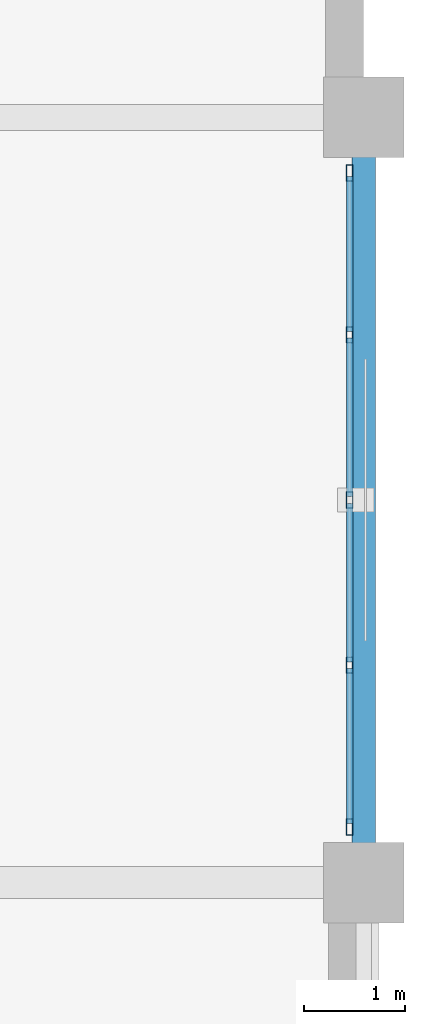
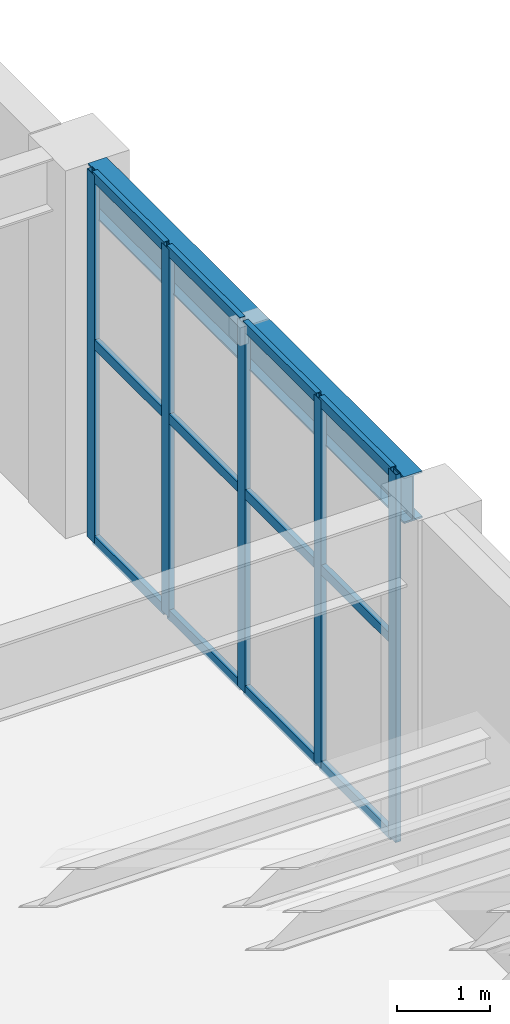
# One storey, part 86 of 128: 17 members, 1 beam, 1 element without a shape of its own.
"""IFC4 building model written with IfcOpenShell, lengths in metres."""

import ifcopenshell
import ifcopenshell.guid

model = None  # the IFC model being written
_history = None  # IfcOwnerHistory: only IFC2X3 demands one
_inside = {}  # id of a spatial element -> (the spatial element, [elements in it])
_under = {}  # id of a project, library or spatial element -> (it, [spatial elements below it])
_declared = {}  # id of a project -> (the project, [libraries it declares])
_typed = {}  # id of a type object -> (the type object, [elements of that type])
_made_of = {}  # id of a material, layer set ... -> (it, [elements and type objects made of it])


def new_model(schema):
    """Start an empty IFC model of exactly this schema.

    Asked for "IFC4X3", IfcOpenShell would pick the latest addendum, in which some entities
    have other attributes; the version numbers below select the first issue.
    IFC2X3 requires an IfcOwnerHistory on every rooted entity: one is made here for all.
    """
    global model, _history
    if schema == "IFC4X3":
        model = ifcopenshell.file(schema_version=(4, 3, 0, 0))
    else:
        model = ifcopenshell.file(schema=schema)
    _inside.clear()
    _under.clear()
    _declared.clear()
    _typed.clear()
    _made_of.clear()
    _history = None
    if model.schema == "IFC2X3":
        org = make("IfcOrganization", Name="unknown")
        user = make(
            "IfcPersonAndOrganization",
            ThePerson=make("IfcPerson", FamilyName="unknown"),
            TheOrganization=org,
        )
        app = make(
            "IfcApplication",
            ApplicationDeveloper=org,
            Version="unknown",
            ApplicationFullName="unknown",
            ApplicationIdentifier="unknown",
        )
        _history = make(
            "IfcOwnerHistory",
            OwningUser=user,
            OwningApplication=app,
            ChangeAction="ADDED",
            CreationDate=0,
        )
    return model


def make(cls, **values):
    """One entity of the class cls with the attributes given. An attribute that is None is left unset."""
    return model.create_entity(
        cls, **{name: value for name, value in values.items() if value is not None}
    )


def rooted(cls, **values):
    """An entity with a GlobalId (a new one), such as an element, a storey or a relation."""
    return make(cls, GlobalId=ifcopenshell.guid.new(), OwnerHistory=_history, **values)


def si_unit(unit_type, name, prefix=None):
    """IfcSIUnit, for example si_unit("LENGTHUNIT", "METRE", prefix="MILLI")."""
    return make("IfcSIUnit", UnitType=unit_type, Prefix=prefix, Name=name)


def assignment(units):
    """IfcUnitAssignment: the units of a project."""
    return None if units is None else make("IfcUnitAssignment", Units=units)


def point(xyz):
    """IfcCartesianPoint."""
    return None if xyz is None else make("IfcCartesianPoint", Coordinates=xyz)


def direction(xyz):
    """IfcDirection."""
    return None if xyz is None else make("IfcDirection", DirectionRatios=xyz)


def frame(location, z_axis=None, x_axis=None):
    """IfcAxis2Placement3D, a coordinate frame: its origin and axes. An axis left out is left unset."""
    return make(
        "IfcAxis2Placement3D",
        Location=point(location),
        Axis=direction(z_axis),
        RefDirection=direction(x_axis),
    )


def frame_2d(location, x_axis=None):
    """IfcAxis2Placement2D, a coordinate frame in the plane: its origin and x axis."""
    return make(
        "IfcAxis2Placement2D", Location=point(location), RefDirection=direction(x_axis)
    )


def origin():
    """The frame at (0, 0, 0) with its axes left unset."""
    return frame((0.0, 0.0, 0.0))


def origin_2d():
    """The frame at (0, 0) in the plane with its x axis left unset."""
    return frame_2d((0.0, 0.0))


def place(relative_to, where):
    """IfcLocalPlacement: puts the frame where relative to a parent placement (None: the world)."""
    return make(
        "IfcLocalPlacement", PlacementRelTo=relative_to, RelativePlacement=where
    )


def context(
    kind, dimensions, precision=None, world=None, true_north=None, identifier=None
):
    """IfcGeometricRepresentationContext, for example the 3D "Model" context."""
    return make(
        "IfcGeometricRepresentationContext",
        ContextIdentifier=identifier,
        ContextType=kind,
        CoordinateSpaceDimension=dimensions,
        Precision=precision,
        WorldCoordinateSystem=world,
        TrueNorth=true_north,
    )


def subcontext(parent, identifier, kind, view, scale=None):
    """IfcGeometricRepresentationSubContext, for example "Body" below "Model"."""
    return make(
        "IfcGeometricRepresentationSubContext",
        ContextIdentifier=identifier,
        ContextType=kind,
        ParentContext=parent,
        TargetScale=scale,
        TargetView=view,
    )


def project(units=None, contexts=None):
    """IfcProject with its units and contexts."""
    return rooted(
        "IfcProject",
        Name="project",
        RepresentationContexts=contexts,
        UnitsInContext=assignment(units),
    )


def spatial(cls, under=None, at=None, **own):
    """A site, building, storey or space (cls), placed at a placement, below another one or the project."""
    s = rooted(cls, ObjectPlacement=at, **own)
    if under is not None:
        _under.setdefault(under.id(), (under, []))[1].append(s)
    return s


def profile(cls, at=None, kind="AREA", **sizes):
    """A parametric profile (cls). Its sizes go by their IFC names, for example OverallWidth=200.0."""
    return make(cls, ProfileType=kind, Position=at, **sizes)


def hollow_rectangle(**sizes):
    """IfcRectangleHollowProfileDef."""
    return profile("IfcRectangleHollowProfileDef", **sizes)


def i_section(**sizes):
    """IfcIShapeProfileDef."""
    return profile("IfcIShapeProfileDef", **sizes)


def extrude(swept, where, along, depth):
    """IfcExtrudedAreaSolid: the profile swept, set in the frame where, extruded along a direction by depth."""
    return make(
        "IfcExtrudedAreaSolid",
        SweptArea=swept,
        Position=where,
        ExtrudedDirection=direction(along),
        Depth=depth,
    )


def shape(context_of_items, identifier, shape_type, items):
    """IfcShapeRepresentation: the items that make up one representation, for example the "Body"."""
    return make(
        "IfcShapeRepresentation",
        ContextOfItems=context_of_items,
        RepresentationIdentifier=identifier,
        RepresentationType=shape_type,
        Items=items,
    )


def material(Name=None, Category=None):
    """IfcMaterial."""
    return make("IfcMaterial", Name=Name, Category=Category)


def layer(
    of_material, thickness, ventilated=None, Name=None, Category=None, Priority=None
):
    """IfcMaterialLayer: one layer of a wall or slab, of a material (None: an air gap)."""
    return make(
        "IfcMaterialLayer",
        Material=of_material,
        LayerThickness=thickness,
        IsVentilated=ventilated,
        Name=Name,
        Category=Category,
        Priority=Priority,
    )


def layer_set(layers, Name=None):
    """IfcMaterialLayerSet."""
    return make("IfcMaterialLayerSet", MaterialLayers=layers, LayerSetName=Name)


def material_profile(
    of_material, cross_section, Name=None, Category=None, Priority=None
):
    """IfcMaterialProfile: a cross section and its material."""
    return make(
        "IfcMaterialProfile",
        Name=Name,
        Material=of_material,
        Profile=cross_section,
        Priority=Priority,
        Category=Category,
    )


def profile_set(profiles, Name=None, composite=None):
    """IfcMaterialProfileSet."""
    return make(
        "IfcMaterialProfileSet",
        Name=Name,
        MaterialProfiles=profiles,
        CompositeProfile=composite,
    )


def made_of(thing, what):
    """Note that an element or type object is made of a material, layer set ...; save() writes the relation."""
    if what is not None:
        _made_of.setdefault(what.id(), (what, []))[1].append(thing)
    return thing


def type_object(cls, material=None, **own):
    """A type object (cls), such as IfcWallType, which elements share."""
    return made_of(rooted(cls, **own), material)


def element(
    cls,
    number,
    at=None,
    inside=None,
    cuts=None,
    type_object=None,
    material=None,
    context=None,
    identifier="Body",
    shape_type=None,
    held_by="IfcProductDefinitionShape",
    body=None,
    shapes=None,
    **own,
):
    """One element of the class cls, such as IfcWall. Its Tag is "e" and its number.

    at: its placement. inside: the storey or other place that contains it. cuts: it is an
    opening in that element (IfcRelVoidsElement). A single representation is given by context,
    identifier, shape_type and body (its items); several are given by shapes. held_by: the class
    of the entity that holds the representations. save() writes the other relations.
    """
    e = rooted(cls, Tag="e%d" % number, ObjectPlacement=at, **own)
    if body is not None:
        shapes = [shape(context, identifier, shape_type, body)]
    if shapes is not None:
        e.Representation = make(held_by, Representations=shapes)
    if inside is not None:
        _inside.setdefault(inside.id(), (inside, []))[1].append(e)
    if cuts is not None:
        rooted(
            "IfcRelVoidsElement", RelatingBuildingElement=cuts, RelatedOpeningElement=e
        )
    if type_object is not None:
        _typed.setdefault(type_object.id(), (type_object, []))[1].append(e)
    return made_of(e, material)


def aggregate(whole, parts):
    """IfcRelAggregates: a whole, such as a stair, and the parts it consists of."""
    return rooted("IfcRelAggregates", RelatingObject=whole, RelatedObjects=parts)


def save(model, path):
    """Write the relations noted so far, then the file.

    IfcRelAggregates (storeys below a building ...), IfcRelContainedInSpatialStructure (elements
    in a storey), IfcRelDefinesByType, IfcRelAssociatesMaterial and IfcRelDeclares: one each for
    every whole, place, type object, material and project.
    """
    for whole, parts in _under.values():
        aggregate(whole, parts)
    for where, things in _inside.values():
        rooted(
            "IfcRelContainedInSpatialStructure",
            RelatedElements=things,
            RelatingStructure=where,
        )
    for kind, things in _typed.values():
        rooted("IfcRelDefinesByType", RelatedObjects=things, RelatingType=kind)
    for what, things in _made_of.values():
        rooted("IfcRelAssociatesMaterial", RelatedObjects=things, RelatingMaterial=what)
    for by, libraries in _declared.values():
        rooted("IfcRelDeclares", RelatingContext=by, RelatedDefinitions=libraries)
    model.write(path)


model = new_model("IFC4")

# Units and contexts
model_context = context("Model", 3, precision=1e-05, world=origin(), true_north=direction((0.0, 1.0)))
body_context = subcontext(model_context, "Body", "Model", "MODEL_VIEW")
ifc_project = project(units=[si_unit("LENGTHUNIT", "METRE"), si_unit("AREAUNIT", "SQUARE_METRE"), si_unit("VOLUMEUNIT", "CUBIC_METRE"), si_unit("PLANEANGLEUNIT", "RADIAN"), si_unit("MASSUNIT", "GRAM", prefix="KILO")], contexts=[model_context])

# Site, building, storey
site_placement = place(None, origin())
site = spatial("IfcSite", under=ifc_project, at=site_placement, CompositionType="ELEMENT")
building_placement = place(site_placement, origin())
building = spatial("IfcBuilding", under=site, at=building_placement, Name="Xicomal Pleat Aquarium", CompositionType="ELEMENT")
storey_placement = place(building_placement, frame((0.0, 0.0, 5.39990234375)))
storey = spatial("IfcBuildingStorey", under=building, at=storey_placement, Name="L02", CompositionType="ELEMENT", Elevation=5.39990234375)

# Beam
ifc_material_1 = material(Name="Structural steel A992 Gr 50", Category="steel")
ifc_material_profile_1 = material_profile(ifc_material_1, i_section(OverallWidth=0.22998046875, OverallDepth=0.616943359375, WebThickness=0.01318359375, FlangeThickness=0.022216796875, at=origin_2d()), Name="IR 610x140")
ifc_profile_set_1 = profile_set([ifc_material_profile_1], Name="Structural steel A992 Gr 50")
beam_type = type_object("IfcBeamType", Name="BM-STL-IR610", PredefinedType="BEAM", material=ifc_profile_set_1)
beam_placement = place(storey_placement, frame((165.0, 15.594970703125, 4.531494140625), z_axis=(0.0, 1.0, 0.0), x_axis=(-1.0, 0.0, 0.0)))
element("IfcBeam", 1, at=beam_placement, inside=storey, type_object=beam_type, Name="L02 framing beam FGY-L02-21-C-D", PredefinedType="BEAM", context=body_context, shape_type="SweptSolid", body=[
    extrude(i_section(OverallWidth=0.22998046875, OverallDepth=0.616943359375, WebThickness=0.01318359375, FlangeThickness=0.022216796875, at=origin_2d()), origin(), (0.0, 0.0, 1.0), 6.81005859375),
])

# Curtain wall, members
ifc_material_2 = material(Name="Bronze anodized aluminium 6063-T6", Category="aluminium")
ifc_layer = layer(ifc_material_2, 0.159912109375)
ifc_layer_set = layer_set([ifc_layer], Name="Bronze anodized aluminium 6063-T6")
curtain_wall_type = type_object("IfcCurtainWallType", Name="CW-SYS-02", PredefinedType="NOTDEFINED", material=ifc_layer_set)
curtain_wall_placement = place(storey_placement, origin())
curtain_wall = element("IfcCurtainWall", 2, at=curtain_wall_placement, inside=storey, type_object=curtain_wall_type, Name="L02 unitised curtain wall CW-L02-072", PredefinedType="NOTDEFINED")
ifc_material_3 = material(Name="Bronze anodized aluminium 6063-T6", Category="aluminium")
ifc_material_profile_2 = material_profile(ifc_material_3, hollow_rectangle(XDim=0.06494140625, YDim=0.159912109375, WallThickness=0.00390625, at=origin_2d()), Name="ALU MULL 65x160")
ifc_profile_set_2 = profile_set([ifc_material_profile_2], Name="Bronze anodized aluminium 6063-T6")
member_type_1 = type_object("IfcMemberType", Name="CWM-65x160", PredefinedType="MULLION", material=ifc_profile_set_2)
member_1_placement = place(storey_placement, frame((164.860107421875, 22.24755859375, 0.0), z_axis=(0.0, 0.0, 1.0), x_axis=(1.0, 0.0, 0.0)))
member_1 = element("IfcMember", 3, at=member_1_placement, type_object=member_type_1, Name="CW-02 mullion 1", PredefinedType="MULLION", context=body_context, shape_type="SweptSolid", body=[
    extrude(hollow_rectangle(XDim=0.06494140625, YDim=0.159912109375, WallThickness=0.00390625, at=origin_2d()), origin(), (0.0, 0.0, 1.0), 4.840087890625),
])
member_2_placement = place(storey_placement, frame((164.860107421875, 20.639892578125, 0.0), z_axis=(0.0, 0.0, 1.0), x_axis=(1.0, 0.0, 0.0)))
member_2 = element("IfcMember", 4, at=member_2_placement, type_object=member_type_1, Name="CW-02 mullion 2", PredefinedType="MULLION", context=body_context, shape_type="SweptSolid", body=[
    extrude(hollow_rectangle(XDim=0.06494140625, YDim=0.159912109375, WallThickness=0.00390625, at=origin_2d()), origin(), (0.0, 0.0, 1.0), 4.840087890625),
])
member_3_placement = place(storey_placement, frame((164.860107421875, 19.0, 0.0), z_axis=(0.0, 0.0, 1.0), x_axis=(1.0, 0.0, 0.0)))
member_3 = element("IfcMember", 5, at=member_3_placement, type_object=member_type_1, Name="CW-02 mullion 3", PredefinedType="MULLION", context=body_context, shape_type="SweptSolid", body=[
    extrude(hollow_rectangle(XDim=0.06494140625, YDim=0.159912109375, WallThickness=0.00390625, at=origin_2d()), origin(), (0.0, 0.0, 1.0), 4.840087890625),
])
member_4_placement = place(storey_placement, frame((164.860107421875, 17.360107421875, 0.0), z_axis=(0.0, 0.0, 1.0), x_axis=(1.0, 0.0, 0.0)))
member_4 = element("IfcMember", 6, at=member_4_placement, type_object=member_type_1, Name="CW-02 mullion 4", PredefinedType="MULLION", context=body_context, shape_type="SweptSolid", body=[
    extrude(hollow_rectangle(XDim=0.06494140625, YDim=0.159912109375, WallThickness=0.00390625, at=origin_2d()), origin(), (0.0, 0.0, 1.0), 4.840087890625),
])
member_5_placement = place(storey_placement, frame((164.860107421875, 15.75244140625, 0.0), z_axis=(0.0, 0.0, 1.0), x_axis=(1.0, 0.0, 0.0)))
member_5 = element("IfcMember", 7, at=member_5_placement, type_object=member_type_1, Name="CW-02 mullion 5", PredefinedType="MULLION", context=body_context, shape_type="SweptSolid", body=[
    extrude(hollow_rectangle(XDim=0.06494140625, YDim=0.159912109375, WallThickness=0.00390625, at=origin_2d()), origin(), (0.0, 0.0, 1.0), 4.840087890625),
])
ifc_material_4 = material(Name="Bronze anodized aluminium 6063-T6", Category="aluminium")
ifc_material_profile_3 = material_profile(ifc_material_4, hollow_rectangle(XDim=0.06494140625, YDim=0.1298828125, WallThickness=0.00390625, at=origin_2d()), Name="ALU TRAN 65x130")
ifc_profile_set_3 = profile_set([ifc_material_profile_3], Name="Bronze anodized aluminium 6063-T6")
member_type_2 = type_object("IfcMemberType", Name="CWT-65x130", PredefinedType="USERDEFINED", material=ifc_profile_set_3)
member_6_placement = place(storey_placement, frame((164.860107421875, 22.215087890625, 0.03271484375), z_axis=(0.0, -1.0, 0.0), x_axis=(1.0, 0.0, 0.0)))
member_6 = element("IfcMember", 8, at=member_6_placement, type_object=member_type_2, Name="CW-02 transom 1.1", ObjectType="TRANSOM", PredefinedType="USERDEFINED", context=body_context, shape_type="SweptSolid", body=[
    extrude(hollow_rectangle(XDim=0.06494140625, YDim=0.1298828125, WallThickness=0.00390625, at=origin_2d()), origin(), (0.0, 0.0, 1.0), 1.54248046875),
])
member_7_placement = place(storey_placement, frame((164.860107421875, 22.215087890625, 2.614013671875), z_axis=(0.0, -1.0, 0.0), x_axis=(1.0, 0.0, 0.0)))
member_7 = element("IfcMember", 9, at=member_7_placement, type_object=member_type_2, Name="CW-02 transom 1.2", ObjectType="TRANSOM", PredefinedType="USERDEFINED", context=body_context, shape_type="SweptSolid", body=[
    extrude(hollow_rectangle(XDim=0.06494140625, YDim=0.1298828125, WallThickness=0.00390625, at=origin_2d()), origin(), (0.0, 0.0, 1.0), 1.54248046875),
])
member_8_placement = place(storey_placement, frame((164.860107421875, 22.215087890625, 4.8076171875), z_axis=(0.0, -1.0, 0.0), x_axis=(1.0, 0.0, 0.0)))
member_8 = element("IfcMember", 10, at=member_8_placement, type_object=member_type_2, Name="CW-02 transom 1.3", ObjectType="TRANSOM", PredefinedType="USERDEFINED", context=body_context, shape_type="SweptSolid", body=[
    extrude(hollow_rectangle(XDim=0.06494140625, YDim=0.1298828125, WallThickness=0.00390625, at=origin_2d()), origin(), (0.0, 0.0, 1.0), 1.54248046875),
])
member_9_placement = place(storey_placement, frame((164.860107421875, 20.607421875, 0.03271484375), z_axis=(0.0, -1.0, 0.0), x_axis=(1.0, 0.0, 0.0)))
member_9 = element("IfcMember", 11, at=member_9_placement, type_object=member_type_2, Name="CW-02 transom 2.1", ObjectType="TRANSOM", PredefinedType="USERDEFINED", context=body_context, shape_type="SweptSolid", body=[
    extrude(hollow_rectangle(XDim=0.06494140625, YDim=0.1298828125, WallThickness=0.00390625, at=origin_2d()), origin(), (0.0, 0.0, 1.0), 1.574951171875),
])
member_10_placement = place(storey_placement, frame((164.860107421875, 20.607421875, 2.614013671875), z_axis=(0.0, -1.0, 0.0), x_axis=(1.0, 0.0, 0.0)))
member_10 = element("IfcMember", 12, at=member_10_placement, type_object=member_type_2, Name="CW-02 transom 2.2", ObjectType="TRANSOM", PredefinedType="USERDEFINED", context=body_context, shape_type="SweptSolid", body=[
    extrude(hollow_rectangle(XDim=0.06494140625, YDim=0.1298828125, WallThickness=0.00390625, at=origin_2d()), origin(), (0.0, 0.0, 1.0), 1.574951171875),
])
member_11_placement = place(storey_placement, frame((164.860107421875, 20.607421875, 4.8076171875), z_axis=(0.0, -1.0, 0.0), x_axis=(1.0, 0.0, 0.0)))
member_11 = element("IfcMember", 13, at=member_11_placement, type_object=member_type_2, Name="CW-02 transom 2.3", ObjectType="TRANSOM", PredefinedType="USERDEFINED", context=body_context, shape_type="SweptSolid", body=[
    extrude(hollow_rectangle(XDim=0.06494140625, YDim=0.1298828125, WallThickness=0.00390625, at=origin_2d()), origin(), (0.0, 0.0, 1.0), 1.574951171875),
])
member_12_placement = place(storey_placement, frame((164.860107421875, 18.967529296875, 0.03271484375), z_axis=(0.0, -1.0, 0.0), x_axis=(1.0, 0.0, 0.0)))
member_12 = element("IfcMember", 14, at=member_12_placement, type_object=member_type_2, Name="CW-02 transom 3.1", ObjectType="TRANSOM", PredefinedType="USERDEFINED", context=body_context, shape_type="SweptSolid", body=[
    extrude(hollow_rectangle(XDim=0.06494140625, YDim=0.1298828125, WallThickness=0.00390625, at=origin_2d()), origin(), (0.0, 0.0, 1.0), 1.574951171875),
])
member_13_placement = place(storey_placement, frame((164.860107421875, 18.967529296875, 2.614013671875), z_axis=(0.0, -1.0, 0.0), x_axis=(1.0, 0.0, 0.0)))
member_13 = element("IfcMember", 15, at=member_13_placement, type_object=member_type_2, Name="CW-02 transom 3.2", ObjectType="TRANSOM", PredefinedType="USERDEFINED", context=body_context, shape_type="SweptSolid", body=[
    extrude(hollow_rectangle(XDim=0.06494140625, YDim=0.1298828125, WallThickness=0.00390625, at=origin_2d()), origin(), (0.0, 0.0, 1.0), 1.574951171875),
])
member_14_placement = place(storey_placement, frame((164.860107421875, 18.967529296875, 4.8076171875), z_axis=(0.0, -1.0, 0.0), x_axis=(1.0, 0.0, 0.0)))
member_14 = element("IfcMember", 16, at=member_14_placement, type_object=member_type_2, Name="CW-02 transom 3.3", ObjectType="TRANSOM", PredefinedType="USERDEFINED", context=body_context, shape_type="SweptSolid", body=[
    extrude(hollow_rectangle(XDim=0.06494140625, YDim=0.1298828125, WallThickness=0.00390625, at=origin_2d()), origin(), (0.0, 0.0, 1.0), 1.574951171875),
])
member_15_placement = place(storey_placement, frame((164.860107421875, 17.327392578125, 0.03271484375), z_axis=(0.0, -1.0, 0.0), x_axis=(1.0, 0.0, 0.0)))
member_15 = element("IfcMember", 17, at=member_15_placement, type_object=member_type_2, Name="CW-02 transom 4.1", ObjectType="TRANSOM", PredefinedType="USERDEFINED", context=body_context, shape_type="SweptSolid", body=[
    extrude(hollow_rectangle(XDim=0.06494140625, YDim=0.1298828125, WallThickness=0.00390625, at=origin_2d()), origin(), (0.0, 0.0, 1.0), 1.54248046875),
])
member_16_placement = place(storey_placement, frame((164.860107421875, 17.327392578125, 2.614013671875), z_axis=(0.0, -1.0, 0.0), x_axis=(1.0, 0.0, 0.0)))
member_16 = element("IfcMember", 18, at=member_16_placement, type_object=member_type_2, Name="CW-02 transom 4.2", ObjectType="TRANSOM", PredefinedType="USERDEFINED", context=body_context, shape_type="SweptSolid", body=[
    extrude(hollow_rectangle(XDim=0.06494140625, YDim=0.1298828125, WallThickness=0.00390625, at=origin_2d()), origin(), (0.0, 0.0, 1.0), 1.54248046875),
])
member_17_placement = place(storey_placement, frame((164.860107421875, 17.327392578125, 4.8076171875), z_axis=(0.0, -1.0, 0.0), x_axis=(1.0, 0.0, 0.0)))
member_17 = element("IfcMember", 19, at=member_17_placement, type_object=member_type_2, Name="CW-02 transom 4.3", ObjectType="TRANSOM", PredefinedType="USERDEFINED", context=body_context, shape_type="SweptSolid", body=[
    extrude(hollow_rectangle(XDim=0.06494140625, YDim=0.1298828125, WallThickness=0.00390625, at=origin_2d()), origin(), (0.0, 0.0, 1.0), 1.54248046875),
])
aggregate(curtain_wall, [member_1, member_2, member_3, member_4, member_5, member_6, member_7, member_8, member_9, member_10, member_11, member_12, member_13, member_14, member_15, member_16, member_17])

save(model, "model.ifc")
